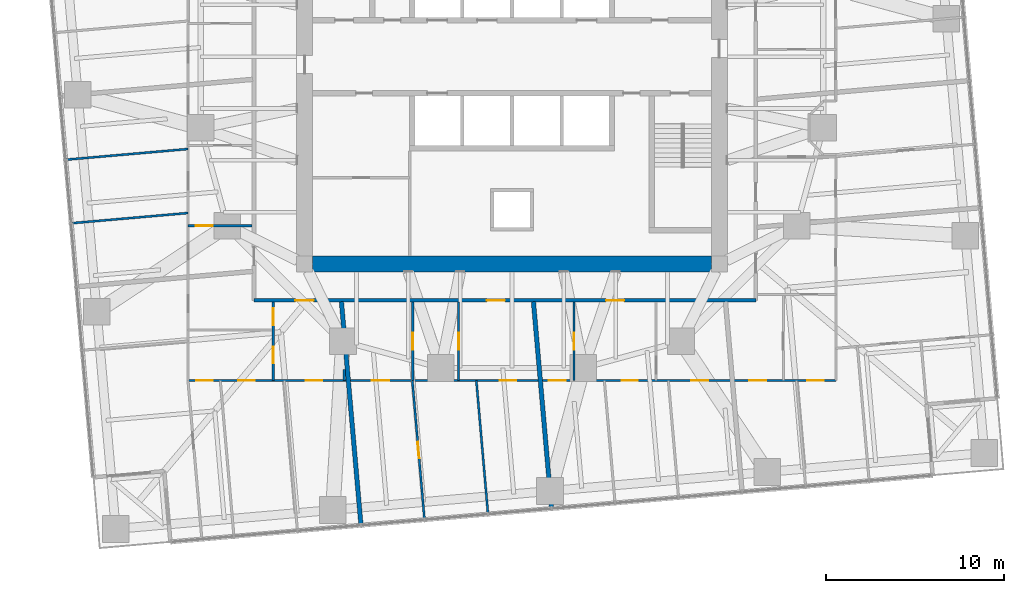
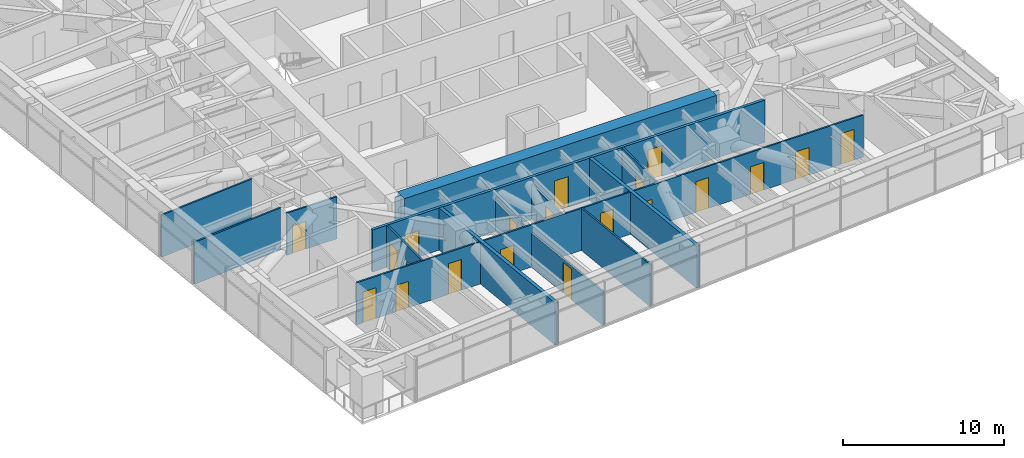
# One storey, part 11 of 18: 20 doors, 15 walls, 20 openings.
"""IFC4 building model written with IfcOpenShell, lengths in metres."""

from ifc_helpers import new_model, si_unit, direction, frame, frame_2d, origin, place, context, subcontext, project, spatial, polyline, rectangle, outline, extrude, material, layer, layer_set, type_object, element, fill, save


model = new_model("IFC4")

# Units and contexts
model_context = context("Model", 3, precision=1e-05, world=origin(), true_north=direction((0.0, 1.0)))
body_context = subcontext(model_context, "Body", "Model", "MODEL_VIEW")
ifc_project = project(units=[si_unit("LENGTHUNIT", "METRE"), si_unit("AREAUNIT", "SQUARE_METRE"), si_unit("VOLUMEUNIT", "CUBIC_METRE"), si_unit("PLANEANGLEUNIT", "RADIAN"), si_unit("MASSUNIT", "GRAM", prefix="KILO")], contexts=[model_context])

# Site, building, storey
site_placement = place(None, origin())
site = spatial("IfcSite", under=ifc_project, at=site_placement, CompositionType="ELEMENT")
building_placement = place(site_placement, origin())
building = spatial("IfcBuilding", under=site, at=building_placement, Name="Torsade Residences", CompositionType="ELEMENT")
storey_placement = place(building_placement, frame((0.0, 0.0, 71.0)))
storey = spatial("IfcBuildingStorey", under=building, at=storey_placement, Name="L19", CompositionType="ELEMENT", Elevation=71.0)

# Wall
ifc_material_1 = material(Name="Concrete 80 MPa", Category="concrete")
ifc_layer_1 = layer(ifc_material_1, 0.89990234375)
ifc_layer_set_1 = layer_set([ifc_layer_1], Name="Concrete 80 MPa")
wall_type_1 = type_object("IfcWallType", Name="CORE WALL 900", PredefinedType="SHEAR", material=ifc_layer_set_1)
wall_1_placement = place(storey_placement, frame((51.199951171875, 18.35009765625, 0.0), z_axis=(0.0, 0.0, 1.0), x_axis=(-1.0, 0.0, 0.0)))
element("IfcWall", 1, at=wall_1_placement, inside=storey, type_object=wall_type_1, Name="Core wall S L19", PredefinedType="SHEAR", context=body_context, shape_type="SweptSolid", body=[
    extrude(outline(polyline([(0.0, -0.449951171875), (22.39990234375, -0.449951171875), (22.39990234375, -0.02490234375), (22.849853515625, -0.02490234375), (22.849853515625, 0.02490234375), (22.39990234375, 0.02490234375), (22.39990234375, 0.449951171875), (0.0, 0.449951171875), (0.0, 0.02490234375), (-0.449951171875, 0.02490234375), (-0.449951171875, -0.02490234375), (0.0, -0.02490234375), (0.0, -0.449951171875)])), origin(), (0.0, 0.0, 1.0), 3.39990234375),
])

# Wall, openings, doors
ifc_material_2 = material(Name="Plasterboard on steel stud", Category="steel")
ifc_layer_2 = layer(ifc_material_2, 0.199951171875)
ifc_layer_set_2 = layer_set([ifc_layer_2], Name="Plasterboard on steel stud")
wall_type_2 = type_object("IfcWallType", Name="CORRIDOR WALL 200", PredefinedType="PARTITIONING", material=ifc_layer_set_2)
wall_2_placement = place(storey_placement, frame((25.5, 16.300048828125, 0.0), z_axis=(0.0, 0.0, 1.0), x_axis=(1.0, 0.0, 0.0)))
wall_2 = element("IfcWall", 2, at=wall_2_placement, inside=storey, type_object=wall_type_2, Name="Corridor wall L19", PredefinedType="PARTITIONING", context=body_context, shape_type="SweptSolid", body=[
    extrude(rectangle(XDim=28.199951171875, YDim=0.199951171875, at=frame_2d((14.10009765625, 0.0))), origin(), (0.0, 0.0, 1.0), 3.199951171875),
])
opening_1_placement = place(wall_2_placement, frame((19.783935546875, 0.0, 0.0)))
opening_1 = element("IfcOpeningElement", 3, at=opening_1_placement, cuts=wall_2, Name="Opening D01", PredefinedType="OPENING", context=body_context, shape_type="SweptSolid", body=[
    extrude(rectangle(XDim=1.02001953125, YDim=2.340087890625, at=frame_2d((0.510009765625, 1.169921875))), frame((0.0, 0.10986328125, 0.0), z_axis=(0.0, -1.0, 0.0), x_axis=(1.0, 0.0, 0.0)), (0.0, 0.0, 1.0), 0.219970703125),
])
opening_2_placement = place(wall_2_placement, frame((13.085693359375, 0.0, 0.0)))
opening_2 = element("IfcOpeningElement", 4, at=opening_2_placement, cuts=wall_2, Name="Opening D01", PredefinedType="OPENING", context=body_context, shape_type="SweptSolid", body=[
    extrude(rectangle(XDim=1.02001953125, YDim=2.340087890625, at=frame_2d((0.510009765625, 1.169921875))), frame((0.0, 0.10986328125, 0.0), z_axis=(0.0, -1.0, 0.0), x_axis=(1.0, 0.0, 0.0)), (0.0, 0.0, 1.0), 0.219970703125),
])
opening_3_placement = place(wall_2_placement, frame((2.3330078125, 0.0, 0.0)))
opening_3 = element("IfcOpeningElement", 5, at=opening_3_placement, cuts=wall_2, Name="Opening D01N", PredefinedType="OPENING", context=body_context, shape_type="SweptSolid", body=[
    extrude(rectangle(XDim=1.02001953125, YDim=2.0, at=frame_2d((0.510009765625, 1.0))), frame((0.0, 0.10986328125, 0.0), z_axis=(0.0, -1.0, 0.0), x_axis=(1.0, 0.0, 0.0)), (0.0, 0.0, 1.0), 0.219970703125),
])
ifc_material_3 = material(Name="Solid-core timber fire door", Category="wood")
door_type_1 = type_object("IfcDoorType", Name="APARTMENT ENTRY DOOR 1020x2000", OperationType="NOTDEFINED", PredefinedType="DOOR", material=ifc_material_3)
door_1_placement = place(opening_3_placement, origin())
door_1 = element("IfcDoor", 6, at=door_1_placement, inside=storey, type_object=door_type_1, Name="Door Residential corridor to Kitchen and dining", OperationType="SINGLE_SWING_LEFT", OverallHeight=2.0, OverallWidth=1.02001953125, PredefinedType="DOOR", context=body_context, shape_type="SweptSolid", body=[
    extrude(rectangle(XDim=1.02001953125, YDim=2.0, at=frame_2d((0.510009765625, 1.0))), frame((0.0, 0.02490234375, 0.0), z_axis=(0.0, -1.0, 0.0), x_axis=(1.0, 0.0, 0.0)), (0.0, 0.0, 1.0), 0.050048828125),
])
fill(opening_3, door_1)
ifc_material_4 = material(Name="Solid-core timber fire door", Category="wood")
door_type_2 = type_object("IfcDoorType", Name="APARTMENT ENTRY DOOR 1020x2340", OperationType="NOTDEFINED", PredefinedType="DOOR", material=ifc_material_4)
door_2_placement = place(opening_1_placement, origin())
door_2 = element("IfcDoor", 7, at=door_2_placement, inside=storey, type_object=door_type_2, Name="Door Residential corridor to Kitchen and dining", OperationType="SINGLE_SWING_LEFT", OverallHeight=2.340087890625, OverallWidth=1.02001953125, PredefinedType="DOOR", context=body_context, shape_type="SweptSolid", body=[
    extrude(rectangle(XDim=1.02001953125, YDim=2.340087890625, at=frame_2d((0.510009765625, 1.169921875))), frame((0.0, 0.02490234375, 0.0), z_axis=(0.0, -1.0, 0.0), x_axis=(1.0, 0.0, 0.0)), (0.0, 0.0, 1.0), 0.050048828125),
])
fill(opening_1, door_2)
door_3_placement = place(opening_2_placement, origin())
door_3 = element("IfcDoor", 8, at=door_3_placement, inside=storey, type_object=door_type_2, Name="Door Residential corridor to Kitchen and dining", OperationType="SINGLE_SWING_LEFT", OverallHeight=2.340087890625, OverallWidth=1.02001953125, PredefinedType="DOOR", context=body_context, shape_type="SweptSolid", body=[
    extrude(rectangle(XDim=1.02001953125, YDim=2.340087890625, at=frame_2d((0.510009765625, 1.169921875))), frame((0.0, 0.02490234375, 0.0), z_axis=(0.0, -1.0, 0.0), x_axis=(1.0, 0.0, 0.0)), (0.0, 0.0, 1.0), 0.050048828125),
])
fill(opening_2, door_3)

# Wall, opening, door
ifc_material_5 = material(Name="Plasterboard on steel stud", Category="steel")
ifc_layer_3 = layer(ifc_material_5, 0.1201171875)
ifc_layer_set_3 = layer_set([ifc_layer_3], Name="Plasterboard on steel stud")
wall_type_3 = type_object("IfcWallType", Name="PARTITION 120", PredefinedType="PARTITIONING", material=ifc_layer_set_3)
wall_3_placement = place(storey_placement, frame((21.800048828125, 20.5, 0.0), z_axis=(0.0, 0.0, 1.0), x_axis=(1.0, 0.0, 0.0)))
wall_3 = element("IfcWall", 9, at=wall_3_placement, inside=storey, type_object=wall_type_3, Name="Partition L19", PredefinedType="PARTITIONING", context=body_context, shape_type="SweptSolid", body=[
    extrude(rectangle(XDim=3.599853515625, YDim=0.1201171875, at=frame_2d((1.7998046875, 0.0))), origin(), (0.0, 0.0, 1.0), 3.199951171875),
])
opening_4_placement = place(wall_3_placement, frame((0.419921875, 0.0, 0.0)))
opening_4 = element("IfcOpeningElement", 10, at=opening_4_placement, cuts=wall_3, Name="Opening D05", PredefinedType="OPENING", context=body_context, shape_type="SweptSolid", body=[
    extrude(rectangle(XDim=0.9599609375, YDim=2.10009765625, at=frame_2d((0.47998046875, 1.050048828125))), frame((0.0, 0.070068359375, 0.0), z_axis=(0.0, -1.0, 0.0), x_axis=(1.0, 0.0, 0.0)), (0.0, 0.0, 1.0), 0.14013671875),
])
ifc_material_6 = material(Name="Hollow-core timber door in a steel cavity frame", Category="steel")
door_type_3 = type_object("IfcDoorType", Name="BATHROOM CAVITY SLIDING DOOR 960", OperationType="SLIDING_TO_LEFT", PredefinedType="DOOR", material=ifc_material_6)
door_4_placement = place(opening_4_placement, origin())
door_4 = element("IfcDoor", 11, at=door_4_placement, inside=storey, type_object=door_type_3, Name="Door Kitchen and dining to Ensuite", OperationType="SLIDING_TO_LEFT", OverallHeight=2.10009765625, OverallWidth=0.9599609375, PredefinedType="DOOR", context=body_context, shape_type="SweptSolid", body=[
    extrude(rectangle(XDim=0.9599609375, YDim=2.10009765625, at=frame_2d((0.47998046875, 1.050048828125))), frame((0.0, 0.02490234375, 0.0), z_axis=(0.0, -1.0, 0.0), x_axis=(1.0, 0.0, 0.0)), (0.0, 0.0, 1.0), 0.050048828125),
])
fill(opening_4, door_4)

# Walls
wall_4_placement = place(storey_placement, frame((21.800048828125, 24.810791015625, 0.0), z_axis=(0.0, 0.0, 1.0), x_axis=(-0.996191674914, -0.087190290923, 0.0)))
element("IfcWall", 12, at=wall_4_placement, inside=storey, type_object=wall_type_3, Name="Partition L19", PredefinedType="PARTITIONING", context=body_context, shape_type="SweptSolid", body=[
    extrude(rectangle(XDim=6.876953125, YDim=0.1201171875, at=frame_2d((3.4384765625, 0.0))), origin(), (0.0, 0.0, 1.0), 3.199951171875),
])
wall_5_placement = place(storey_placement, frame((21.800048828125, 21.213623046875, 0.0), z_axis=(0.0, 0.0, 1.0), x_axis=(-0.996195090105, -0.087151261897, 0.0)))
element("IfcWall", 13, at=wall_5_placement, inside=storey, type_object=wall_type_3, Name="Partition L19", PredefinedType="PARTITIONING", context=body_context, shape_type="SweptSolid", body=[
    extrude(rectangle(XDim=6.5634765625, YDim=0.1201171875, at=frame_2d((3.28173828125, 0.0))), origin(), (0.0, 0.0, 1.0), 3.199951171875),
])

# Wall, openings, doors
wall_6_placement = place(storey_placement, frame((26.58642578125, 11.800048828125, 0.0), z_axis=(0.0, 0.0, 1.0), x_axis=(0.0, 1.0, 0.0)))
wall_6 = element("IfcWall", 14, at=wall_6_placement, inside=storey, type_object=wall_type_3, Name="Partition L19", PredefinedType="PARTITIONING", context=body_context, shape_type="SweptSolid", body=[
    extrude(rectangle(XDim=4.39990234375, YDim=0.1201171875, at=frame_2d((2.199951171875, 0.0))), origin(), (0.0, 0.0, 1.0), 3.199951171875),
])
opening_5_placement = place(wall_6_placement, frame((0.98193359375, 0.0, 0.0)))
opening_5 = element("IfcOpeningElement", 15, at=opening_5_placement, cuts=wall_6, Name="Opening D02N", PredefinedType="OPENING", context=body_context, shape_type="SweptSolid", body=[
    extrude(rectangle(XDim=0.919921875, YDim=2.0, at=frame_2d((0.4599609375, 1.0))), frame((0.0, 0.070068359375, 0.0), z_axis=(0.0, -1.0, 0.0), x_axis=(1.0, 0.0, 0.0)), (0.0, 0.0, 1.0), 0.14013671875),
])
opening_6_placement = place(wall_6_placement, frame((3.112060546875, 0.0, 0.0)))
opening_6 = element("IfcOpeningElement", 16, at=opening_6_placement, cuts=wall_6, Name="Opening D05", PredefinedType="OPENING", context=body_context, shape_type="SweptSolid", body=[
    extrude(rectangle(XDim=0.9599609375, YDim=2.10009765625, at=frame_2d((0.47998046875, 1.050048828125))), frame((0.0, 0.070068359375, 0.0), z_axis=(0.0, -1.0, 0.0), x_axis=(1.0, 0.0, 0.0)), (0.0, 0.0, 1.0), 0.14013671875),
])
door_5_placement = place(opening_6_placement, origin())
door_5 = element("IfcDoor", 17, at=door_5_placement, inside=storey, type_object=door_type_3, Name="Door Kitchen and dining to Bathroom", OperationType="SLIDING_TO_LEFT", OverallHeight=2.10009765625, OverallWidth=0.9599609375, PredefinedType="DOOR", context=body_context, shape_type="SweptSolid", body=[
    extrude(rectangle(XDim=0.9599609375, YDim=2.10009765625, at=frame_2d((0.47998046875, 1.050048828125))), frame((0.0, 0.02490234375, 0.0), z_axis=(0.0, -1.0, 0.0), x_axis=(1.0, 0.0, 0.0)), (0.0, 0.0, 1.0), 0.050048828125),
])
fill(opening_6, door_5)
ifc_material_7 = material(Name="Hollow-core timber door", Category="wood")
door_type_4 = type_object("IfcDoorType", Name="INTERNAL DOOR 920x2000", OperationType="NOTDEFINED", PredefinedType="DOOR", material=ifc_material_7)
door_6_placement = place(opening_5_placement, origin())
door_6 = element("IfcDoor", 18, at=door_6_placement, inside=storey, type_object=door_type_4, Name="Door Kitchen and dining to Dressing room", OperationType="SINGLE_SWING_LEFT", OverallHeight=2.0, OverallWidth=0.919921875, PredefinedType="DOOR", context=body_context, shape_type="SweptSolid", body=[
    extrude(rectangle(XDim=0.919921875, YDim=2.0, at=frame_2d((0.4599609375, 1.0))), frame((0.0, 0.02490234375, 0.0), z_axis=(0.0, -1.0, 0.0), x_axis=(1.0, 0.0, 0.0)), (0.0, 0.0, 1.0), 0.050048828125),
])
fill(opening_5, door_6)

# Wall
wall_7_placement = place(storey_placement, frame((30.571533203125, 12.416748046875, 0.0), z_axis=(0.0, 0.0, 1.0), x_axis=(0.0, -1.0, 0.0)))
element("IfcWall", 19, at=wall_7_placement, inside=storey, type_object=wall_type_3, Name="Partition L19", PredefinedType="PARTITIONING", context=body_context, shape_type="SweptSolid", body=[
    extrude(rectangle(XDim=0.61669921875, YDim=0.1201171875, at=frame_2d((0.308349609375, 0.0))), origin(), (0.0, 0.0, 1.0), 3.199951171875),
])

# Wall, openings, doors
wall_8_placement = place(storey_placement, frame((58.199951171875, 11.800048828125, 0.0), z_axis=(0.0, 0.0, 1.0), x_axis=(-1.0, 0.0, 0.0)))
wall_8 = element("IfcWall", 20, at=wall_8_placement, inside=storey, type_object=wall_type_3, Name="Partition L19", PredefinedType="PARTITIONING", context=body_context, shape_type="SweptSolid", body=[
    extrude(rectangle(XDim=36.39990234375, YDim=0.1201171875, at=frame_2d((18.199951171875, 0.0))), origin(), (0.0, 0.0, 1.0), 3.199951171875),
])
opening_7_placement = place(wall_8_placement, frame((11.119873046875, 0.0, 0.0)))
opening_7 = element("IfcOpeningElement", 21, at=opening_7_placement, cuts=wall_8, Name="Opening D02", PredefinedType="OPENING", context=body_context, shape_type="SweptSolid", body=[
    extrude(rectangle(XDim=0.919921875, YDim=2.340087890625, at=frame_2d((0.4599609375, 1.169921875))), frame((0.0, 0.070068359375, 0.0), z_axis=(0.0, -1.0, 0.0), x_axis=(1.0, 0.0, 0.0)), (0.0, 0.0, 1.0), 0.14013671875),
])
opening_8_placement = place(wall_8_placement, frame((17.97119140625, 0.0, 0.0)))
opening_8 = element("IfcOpeningElement", 22, at=opening_8_placement, cuts=wall_8, Name="Opening D02", PredefinedType="OPENING", context=body_context, shape_type="SweptSolid", body=[
    extrude(rectangle(XDim=0.919921875, YDim=2.340087890625, at=frame_2d((0.4599609375, 1.169921875))), frame((0.0, 0.070068359375, 0.0), z_axis=(0.0, -1.0, 0.0), x_axis=(1.0, 0.0, 0.0)), (0.0, 0.0, 1.0), 0.14013671875),
])
opening_9_placement = place(wall_8_placement, frame((28.877197265625, 0.0, 0.0)))
opening_9 = element("IfcOpeningElement", 23, at=opening_9_placement, cuts=wall_8, Name="Opening D02", PredefinedType="OPENING", context=body_context, shape_type="SweptSolid", body=[
    extrude(rectangle(XDim=0.919921875, YDim=2.340087890625, at=frame_2d((0.4599609375, 1.169921875))), frame((0.0, 0.070068359375, 0.0), z_axis=(0.0, -1.0, 0.0), x_axis=(1.0, 0.0, 0.0)), (0.0, 0.0, 1.0), 0.14013671875),
])
opening_10_placement = place(wall_8_placement, frame((7.16015625, 0.0, 0.0)))
opening_10 = element("IfcOpeningElement", 24, at=opening_10_placement, cuts=wall_8, Name="Opening D05", PredefinedType="OPENING", context=body_context, shape_type="SweptSolid", body=[
    extrude(rectangle(XDim=0.9599609375, YDim=2.10009765625, at=frame_2d((0.47998046875, 1.050048828125))), frame((0.0, 0.070068359375, 0.0), z_axis=(0.0, -1.0, 0.0), x_axis=(1.0, 0.0, 0.0)), (0.0, 0.0, 1.0), 0.14013671875),
])
opening_11_placement = place(wall_8_placement, frame((15.1806640625, 0.0, 0.0)))
opening_11 = element("IfcOpeningElement", 25, at=opening_11_placement, cuts=wall_8, Name="Opening D05", PredefinedType="OPENING", context=body_context, shape_type="SweptSolid", body=[
    extrude(rectangle(XDim=0.9599609375, YDim=2.10009765625, at=frame_2d((0.47998046875, 1.050048828125))), frame((0.0, 0.070068359375, 0.0), z_axis=(0.0, -1.0, 0.0), x_axis=(1.0, 0.0, 0.0)), (0.0, 0.0, 1.0), 0.14013671875),
])
opening_12_placement = place(wall_8_placement, frame((32.668212890625, 0.0, 0.0)))
opening_12 = element("IfcOpeningElement", 26, at=opening_12_placement, cuts=wall_8, Name="Opening D02N", PredefinedType="OPENING", context=body_context, shape_type="SweptSolid", body=[
    extrude(rectangle(XDim=0.919921875, YDim=2.0, at=frame_2d((0.4599609375, 1.0))), frame((0.0, 0.070068359375, 0.0), z_axis=(0.0, -1.0, 0.0), x_axis=(1.0, 0.0, 0.0)), (0.0, 0.0, 1.0), 0.14013671875),
])
opening_13_placement = place(wall_8_placement, frame((35.01123046875, 0.0, 0.0)))
opening_13 = element("IfcOpeningElement", 27, at=opening_13_placement, cuts=wall_8, Name="Opening D02", PredefinedType="OPENING", context=body_context, shape_type="SweptSolid", body=[
    extrude(rectangle(XDim=0.919921875, YDim=2.340087890625, at=frame_2d((0.4599609375, 1.169921875))), frame((0.0, 0.070068359375, 0.0), z_axis=(0.0, -1.0, 0.0), x_axis=(1.0, 0.0, 0.0)), (0.0, 0.0, 1.0), 0.14013671875),
])
opening_14_placement = place(wall_8_placement, frame((0.6748046875, 0.0, 0.0)))
opening_14 = element("IfcOpeningElement", 28, at=opening_14_placement, cuts=wall_8, Name="Opening D02", PredefinedType="OPENING", context=body_context, shape_type="SweptSolid", body=[
    extrude(rectangle(XDim=0.919921875, YDim=2.340087890625, at=frame_2d((0.4599609375, 1.169921875))), frame((0.0, 0.070068359375, 0.0), z_axis=(0.0, -1.0, 0.0), x_axis=(1.0, 0.0, 0.0)), (0.0, 0.0, 1.0), 0.14013671875),
])
opening_15_placement = place(wall_8_placement, frame((25.10986328125, 0.0, 0.0)))
opening_15 = element("IfcOpeningElement", 29, at=opening_15_placement, cuts=wall_8, Name="Opening D05", PredefinedType="OPENING", context=body_context, shape_type="SweptSolid", body=[
    extrude(rectangle(XDim=0.9599609375, YDim=2.10009765625, at=frame_2d((0.47998046875, 1.050048828125))), frame((0.0, 0.070068359375, 0.0), z_axis=(0.0, -1.0, 0.0), x_axis=(1.0, 0.0, 0.0)), (0.0, 0.0, 1.0), 0.14013671875),
])
opening_16_placement = place(wall_8_placement, frame((3.904052734375, 0.0, 0.0)))
opening_16 = element("IfcOpeningElement", 30, at=opening_16_placement, cuts=wall_8, Name="Opening D05", PredefinedType="OPENING", context=body_context, shape_type="SweptSolid", body=[
    extrude(rectangle(XDim=0.9599609375, YDim=2.10009765625, at=frame_2d((0.47998046875, 1.050048828125))), frame((0.0, 0.070068359375, 0.0), z_axis=(0.0, -1.0, 0.0), x_axis=(1.0, 0.0, 0.0)), (0.0, 0.0, 1.0), 0.14013671875),
])
door_7_placement = place(opening_10_placement, origin())
door_7 = element("IfcDoor", 31, at=door_7_placement, inside=storey, type_object=door_type_3, Name="Door Bathroom to Bedroom 2", OperationType="SLIDING_TO_LEFT", OverallHeight=2.10009765625, OverallWidth=0.9599609375, PredefinedType="DOOR", context=body_context, shape_type="SweptSolid", body=[
    extrude(rectangle(XDim=0.9599609375, YDim=2.10009765625, at=frame_2d((0.47998046875, 1.050048828125))), frame((0.0, 0.02490234375, 0.0), z_axis=(0.0, -1.0, 0.0), x_axis=(1.0, 0.0, 0.0)), (0.0, 0.0, 1.0), 0.050048828125),
])
fill(opening_10, door_7)
door_8_placement = place(opening_11_placement, origin())
door_8 = element("IfcDoor", 32, at=door_8_placement, inside=storey, type_object=door_type_3, Name="Door Ensuite to Living room", OperationType="SLIDING_TO_LEFT", OverallHeight=2.10009765625, OverallWidth=0.9599609375, PredefinedType="DOOR", context=body_context, shape_type="SweptSolid", body=[
    extrude(rectangle(XDim=0.9599609375, YDim=2.10009765625, at=frame_2d((0.47998046875, 1.050048828125))), frame((0.0, 0.02490234375, 0.0), z_axis=(0.0, -1.0, 0.0), x_axis=(1.0, 0.0, 0.0)), (0.0, 0.0, 1.0), 0.050048828125),
])
fill(opening_11, door_8)
door_9_placement = place(opening_15_placement, origin())
door_9 = element("IfcDoor", 33, at=door_9_placement, inside=storey, type_object=door_type_3, Name="Door Bathroom to Living room", OperationType="SLIDING_TO_LEFT", OverallHeight=2.10009765625, OverallWidth=0.9599609375, PredefinedType="DOOR", context=body_context, shape_type="SweptSolid", body=[
    extrude(rectangle(XDim=0.9599609375, YDim=2.10009765625, at=frame_2d((0.47998046875, 1.050048828125))), frame((0.0, 0.02490234375, 0.0), z_axis=(0.0, -1.0, 0.0), x_axis=(1.0, 0.0, 0.0)), (0.0, 0.0, 1.0), 0.050048828125),
])
fill(opening_15, door_9)
door_10_placement = place(opening_16_placement, origin())
door_10 = element("IfcDoor", 34, at=door_10_placement, inside=storey, type_object=door_type_3, Name="Door Bathroom to Study", OperationType="SLIDING_TO_LEFT", OverallHeight=2.10009765625, OverallWidth=0.9599609375, PredefinedType="DOOR", context=body_context, shape_type="SweptSolid", body=[
    extrude(rectangle(XDim=0.9599609375, YDim=2.10009765625, at=frame_2d((0.47998046875, 1.050048828125))), frame((0.0, 0.02490234375, 0.0), z_axis=(0.0, -1.0, 0.0), x_axis=(1.0, 0.0, 0.0)), (0.0, 0.0, 1.0), 0.050048828125),
])
fill(opening_16, door_10)
door_11_placement = place(opening_12_placement, origin())
door_11 = element("IfcDoor", 35, at=door_11_placement, inside=storey, type_object=door_type_4, Name="Door Dressing room to Bedroom 1", OperationType="SINGLE_SWING_RIGHT", OverallHeight=2.0, OverallWidth=0.919921875, PredefinedType="DOOR", context=body_context, shape_type="SweptSolid", body=[
    extrude(rectangle(XDim=0.919921875, YDim=2.0, at=frame_2d((0.4599609375, 1.0))), frame((0.0, 0.02490234375, 0.0), z_axis=(0.0, -1.0, 0.0), x_axis=(1.0, 0.0, 0.0)), (0.0, 0.0, 1.0), 0.050048828125),
])
fill(opening_12, door_11)
ifc_material_8 = material(Name="Hollow-core timber door", Category="wood")
door_type_5 = type_object("IfcDoorType", Name="INTERNAL DOOR 920x2340", OperationType="NOTDEFINED", PredefinedType="DOOR", material=ifc_material_8)
door_12_placement = place(opening_7_placement, origin())
door_12 = element("IfcDoor", 36, at=door_12_placement, inside=storey, type_object=door_type_5, Name="Door Kitchen and dining to Bedroom 1", OperationType="SINGLE_SWING_RIGHT", OverallHeight=2.340087890625, OverallWidth=0.919921875, PredefinedType="DOOR", context=body_context, shape_type="SweptSolid", body=[
    extrude(rectangle(XDim=0.919921875, YDim=2.340087890625, at=frame_2d((0.4599609375, 1.169921875))), frame((0.0, 0.02490234375, 0.0), z_axis=(0.0, -1.0, 0.0), x_axis=(1.0, 0.0, 0.0)), (0.0, 0.0, 1.0), 0.050048828125),
])
fill(opening_7, door_12)
door_13_placement = place(opening_8_placement, origin())
door_13 = element("IfcDoor", 37, at=door_13_placement, inside=storey, type_object=door_type_5, Name="Door Kitchen and dining to Bedroom 2", OperationType="SINGLE_SWING_LEFT", OverallHeight=2.340087890625, OverallWidth=0.919921875, PredefinedType="DOOR", context=body_context, shape_type="SweptSolid", body=[
    extrude(rectangle(XDim=0.919921875, YDim=2.340087890625, at=frame_2d((0.4599609375, 1.169921875))), frame((0.0, 0.02490234375, 0.0), z_axis=(0.0, -1.0, 0.0), x_axis=(1.0, 0.0, 0.0)), (0.0, 0.0, 1.0), 0.050048828125),
])
fill(opening_8, door_13)
door_14_placement = place(opening_9_placement, origin())
door_14 = element("IfcDoor", 38, at=door_14_placement, inside=storey, type_object=door_type_5, Name="Door Kitchen and dining to Bedroom 2", OperationType="SINGLE_SWING_RIGHT", OverallHeight=2.340087890625, OverallWidth=0.919921875, PredefinedType="DOOR", context=body_context, shape_type="SweptSolid", body=[
    extrude(rectangle(XDim=0.919921875, YDim=2.340087890625, at=frame_2d((0.4599609375, 1.169921875))), frame((0.0, 0.02490234375, 0.0), z_axis=(0.0, -1.0, 0.0), x_axis=(1.0, 0.0, 0.0)), (0.0, 0.0, 1.0), 0.050048828125),
])
fill(opening_9, door_14)
door_15_placement = place(opening_13_placement, origin())
door_15 = element("IfcDoor", 39, at=door_15_placement, inside=storey, type_object=door_type_5, Name="Door Dressing room to Walk-in robe", OperationType="SINGLE_SWING_RIGHT", OverallHeight=2.340087890625, OverallWidth=0.919921875, PredefinedType="DOOR", context=body_context, shape_type="SweptSolid", body=[
    extrude(rectangle(XDim=0.919921875, YDim=2.340087890625, at=frame_2d((0.4599609375, 1.169921875))), frame((0.0, 0.02490234375, 0.0), z_axis=(0.0, -1.0, 0.0), x_axis=(1.0, 0.0, 0.0)), (0.0, 0.0, 1.0), 0.050048828125),
])
fill(opening_13, door_15)
door_16_placement = place(opening_14_placement, origin())
door_16 = element("IfcDoor", 40, at=door_16_placement, inside=storey, type_object=door_type_5, Name="Door Dressing room to Bedroom 2", OperationType="SINGLE_SWING_RIGHT", OverallHeight=2.340087890625, OverallWidth=0.919921875, PredefinedType="DOOR", context=body_context, shape_type="SweptSolid", body=[
    extrude(rectangle(XDim=0.919921875, YDim=2.340087890625, at=frame_2d((0.4599609375, 1.169921875))), frame((0.0, 0.02490234375, 0.0), z_axis=(0.0, -1.0, 0.0), x_axis=(1.0, 0.0, 0.0)), (0.0, 0.0, 1.0), 0.050048828125),
])
fill(opening_14, door_16)

# Wall, opening, door
wall_9_placement = place(storey_placement, frame((37.00048828125, 11.800048828125, 0.0), z_axis=(0.0, 0.0, 1.0), x_axis=(0.0, 1.0, 0.0)))
wall_9 = element("IfcWall", 41, at=wall_9_placement, inside=storey, type_object=wall_type_3, Name="Partition L19", PredefinedType="PARTITIONING", context=body_context, shape_type="SweptSolid", body=[
    extrude(rectangle(XDim=4.39990234375, YDim=0.1201171875, at=frame_2d((2.199951171875, 0.0))), origin(), (0.0, 0.0, 1.0), 2.672119140625),
])
opening_17_placement = place(wall_9_placement, frame((1.719970703125, 0.0, 0.0)))
opening_17 = element("IfcOpeningElement", 42, at=opening_17_placement, cuts=wall_9, Name="Opening D05", PredefinedType="OPENING", context=body_context, shape_type="SweptSolid", body=[
    extrude(rectangle(XDim=0.9599609375, YDim=2.10009765625, at=frame_2d((0.47998046875, 1.050048828125))), frame((0.0, 0.070068359375, 0.0), z_axis=(0.0, -1.0, 0.0), x_axis=(1.0, 0.0, 0.0)), (0.0, 0.0, 1.0), 0.14013671875),
])
door_17_placement = place(opening_17_placement, origin())
door_17 = element("IfcDoor", 43, at=door_17_placement, inside=storey, type_object=door_type_3, Name="Door Kitchen and dining to Ensuite", OperationType="SLIDING_TO_LEFT", OverallHeight=2.10009765625, OverallWidth=0.9599609375, PredefinedType="DOOR", context=body_context, shape_type="SweptSolid", body=[
    extrude(rectangle(XDim=0.9599609375, YDim=2.10009765625, at=frame_2d((0.47998046875, 1.050048828125))), frame((0.0, 0.02490234375, 0.0), z_axis=(0.0, -1.0, 0.0), x_axis=(1.0, 0.0, 0.0)), (0.0, 0.0, 1.0), 0.050048828125),
])
fill(opening_17, door_17)

wall_10_placement = place(storey_placement, frame((34.4189453125, 16.199951171875, 0.0), z_axis=(0.0, 0.0, 1.0), x_axis=(0.0, -1.0, 0.0)))
wall_10 = element("IfcWall", 44, at=wall_10_placement, inside=storey, type_object=wall_type_3, Name="Partition L19", PredefinedType="PARTITIONING", context=body_context, shape_type="SweptSolid", body=[
    extrude(rectangle(XDim=4.39990234375, YDim=0.1201171875, at=frame_2d((2.199951171875, 0.0))), origin(), (0.0, 0.0, 1.0), 2.587890625),
])
opening_18_placement = place(wall_10_placement, frame((1.719970703125, 0.0, 0.0)))
opening_18 = element("IfcOpeningElement", 45, at=opening_18_placement, cuts=wall_10, Name="Opening D05", PredefinedType="OPENING", context=body_context, shape_type="SweptSolid", body=[
    extrude(rectangle(XDim=0.9599609375, YDim=2.10009765625, at=frame_2d((0.47998046875, 1.050048828125))), frame((0.0, 0.070068359375, 0.0), z_axis=(0.0, -1.0, 0.0), x_axis=(1.0, 0.0, 0.0)), (0.0, 0.0, 1.0), 0.14013671875),
])
door_18_placement = place(opening_18_placement, origin())
door_18 = element("IfcDoor", 46, at=door_18_placement, inside=storey, type_object=door_type_3, Name="Door Ensuite to Bathroom", OperationType="SLIDING_TO_LEFT", OverallHeight=2.10009765625, OverallWidth=0.9599609375, PredefinedType="DOOR", context=body_context, shape_type="SweptSolid", body=[
    extrude(rectangle(XDim=0.9599609375, YDim=2.10009765625, at=frame_2d((0.47998046875, 1.050048828125))), frame((0.0, 0.02490234375, 0.0), z_axis=(0.0, -1.0, 0.0), x_axis=(1.0, 0.0, 0.0)), (0.0, 0.0, 1.0), 0.050048828125),
])
fill(opening_18, door_18)

wall_11_placement = place(storey_placement, frame((34.398193359375, 11.800048828125, 0.0), z_axis=(0.0, 0.0, 1.0), x_axis=(0.087161914023, -0.996194158156, 0.0)))
wall_11 = element("IfcWall", 47, at=wall_11_placement, inside=storey, type_object=wall_type_3, Name="Partition L19", PredefinedType="PARTITIONING", context=body_context, shape_type="SweptSolid", body=[
    extrude(rectangle(XDim=7.817626953125, YDim=0.1201171875, at=frame_2d((3.90869140625, 0.0))), origin(), (0.0, 0.0, 1.0), 2.587890625),
])
opening_19_placement = place(wall_11_placement, frame((3.46875, 0.0, 0.0)))
opening_19 = element("IfcOpeningElement", 48, at=opening_19_placement, cuts=wall_11, Name="Opening D02", PredefinedType="OPENING", context=body_context, shape_type="SweptSolid", body=[
    extrude(rectangle(XDim=0.919921875, YDim=2.340087890625, at=frame_2d((0.4599609375, 1.169921875))), frame((0.0, 0.070068359375, 0.0), z_axis=(0.0, -1.0, 0.0), x_axis=(1.0, 0.0, 0.0)), (0.0, 0.0, 1.0), 0.14013671875),
])
door_19_placement = place(opening_19_placement, origin())
door_19 = element("IfcDoor", 49, at=door_19_placement, inside=storey, type_object=door_type_5, Name="Door Living room to Bedroom 1", OperationType="SINGLE_SWING_RIGHT", OverallHeight=2.340087890625, OverallWidth=0.919921875, PredefinedType="DOOR", context=body_context, shape_type="SweptSolid", body=[
    extrude(rectangle(XDim=0.919921875, YDim=2.340087890625, at=frame_2d((0.4599609375, 1.169921875))), frame((0.0, 0.02490234375, 0.0), z_axis=(0.0, -1.0, 0.0), x_axis=(1.0, 0.0, 0.0)), (0.0, 0.0, 1.0), 0.050048828125),
])
fill(opening_19, door_19)

# Wall
wall_12_placement = place(storey_placement, frame((37.995361328125, 11.800048828125, 0.0), z_axis=(0.0, 0.0, 1.0), x_axis=(0.08715887855, -0.99619442374, 0.0)))
element("IfcWall", 50, at=wall_12_placement, inside=storey, type_object=wall_type_3, Name="Partition L19", PredefinedType="PARTITIONING", context=body_context, shape_type="SweptSolid", body=[
    extrude(rectangle(XDim=7.504150390625, YDim=0.1201171875, at=frame_2d((3.751953125, 0.0))), origin(), (0.0, 0.0, 1.0), 3.199951171875),
])

# Wall, opening, door
wall_13_placement = place(storey_placement, frame((43.486328125, 11.800048828125, 0.0), z_axis=(0.0, 0.0, 1.0), x_axis=(0.0, 1.0, 0.0)))
wall_13 = element("IfcWall", 51, at=wall_13_placement, inside=storey, type_object=wall_type_3, Name="Partition L19", PredefinedType="PARTITIONING", context=body_context, shape_type="SweptSolid", body=[
    extrude(rectangle(XDim=4.39990234375, YDim=0.1201171875, at=frame_2d((2.199951171875, 0.0))), origin(), (0.0, 0.0, 1.0), 3.199951171875),
])
opening_20_placement = place(wall_13_placement, frame((1.719970703125, 0.0, 0.0)))
opening_20 = element("IfcOpeningElement", 52, at=opening_20_placement, cuts=wall_13, Name="Opening D05", PredefinedType="OPENING", context=body_context, shape_type="SweptSolid", body=[
    extrude(rectangle(XDim=0.9599609375, YDim=2.10009765625, at=frame_2d((0.47998046875, 1.050048828125))), frame((0.0, 0.070068359375, 0.0), z_axis=(0.0, -1.0, 0.0), x_axis=(1.0, 0.0, 0.0)), (0.0, 0.0, 1.0), 0.14013671875),
])
door_20_placement = place(opening_20_placement, origin())
door_20 = element("IfcDoor", 53, at=door_20_placement, inside=storey, type_object=door_type_3, Name="Door Kitchen and dining to Ensuite", OperationType="SLIDING_TO_LEFT", OverallHeight=2.10009765625, OverallWidth=0.9599609375, PredefinedType="DOOR", context=body_context, shape_type="SweptSolid", body=[
    extrude(rectangle(XDim=0.9599609375, YDim=2.10009765625, at=frame_2d((0.47998046875, 1.050048828125))), frame((0.0, 0.02490234375, 0.0), z_axis=(0.0, -1.0, 0.0), x_axis=(1.0, 0.0, 0.0)), (0.0, 0.0, 1.0), 0.050048828125),
])
fill(opening_20, door_20)

# Walls
ifc_material_9 = material(Name="Masonry-lined stud party wall", Category="masonry")
ifc_layer_4 = layer(ifc_material_9, 0.25)
ifc_layer_set_4 = layer_set([ifc_layer_4], Name="Masonry-lined stud party wall")
wall_type_4 = type_object("IfcWallType", Name="PARTY WALL 250", PredefinedType="PARTITIONING", material=ifc_layer_set_4)
wall_14_placement = place(storey_placement, frame((42.222412109375, 4.596923828125, 0.0), z_axis=(0.0, 0.0, 1.0), x_axis=(-0.087147497287, 0.996195419442, 0.0)))
element("IfcWall", 54, at=wall_14_placement, inside=storey, type_object=wall_type_4, Name="Party wall L19", PredefinedType="PARTITIONING", context=body_context, shape_type="SweptSolid", body=[
    extrude(rectangle(XDim=11.676513671875, YDim=0.25, at=frame_2d((5.83837890625, 0.0))), origin(), (0.0, 0.0, 1.0), 3.199951171875),
])
wall_15_placement = place(storey_placement, frame((31.513427734375, 3.66015625, 0.0), z_axis=(0.0, 0.0, 1.0), x_axis=(-0.087153988028, 0.996194851608, 0.0)))
element("IfcWall", 55, at=wall_15_placement, inside=storey, type_object=wall_type_4, Name="Party wall L19", PredefinedType="PARTITIONING", context=body_context, shape_type="SweptSolid", body=[
    extrude(rectangle(XDim=12.616943359375, YDim=0.25, at=frame_2d((6.30859375, 0.0))), origin(), (0.0, 0.0, 1.0), 3.199951171875),
])

save(model, "model.ifc")
